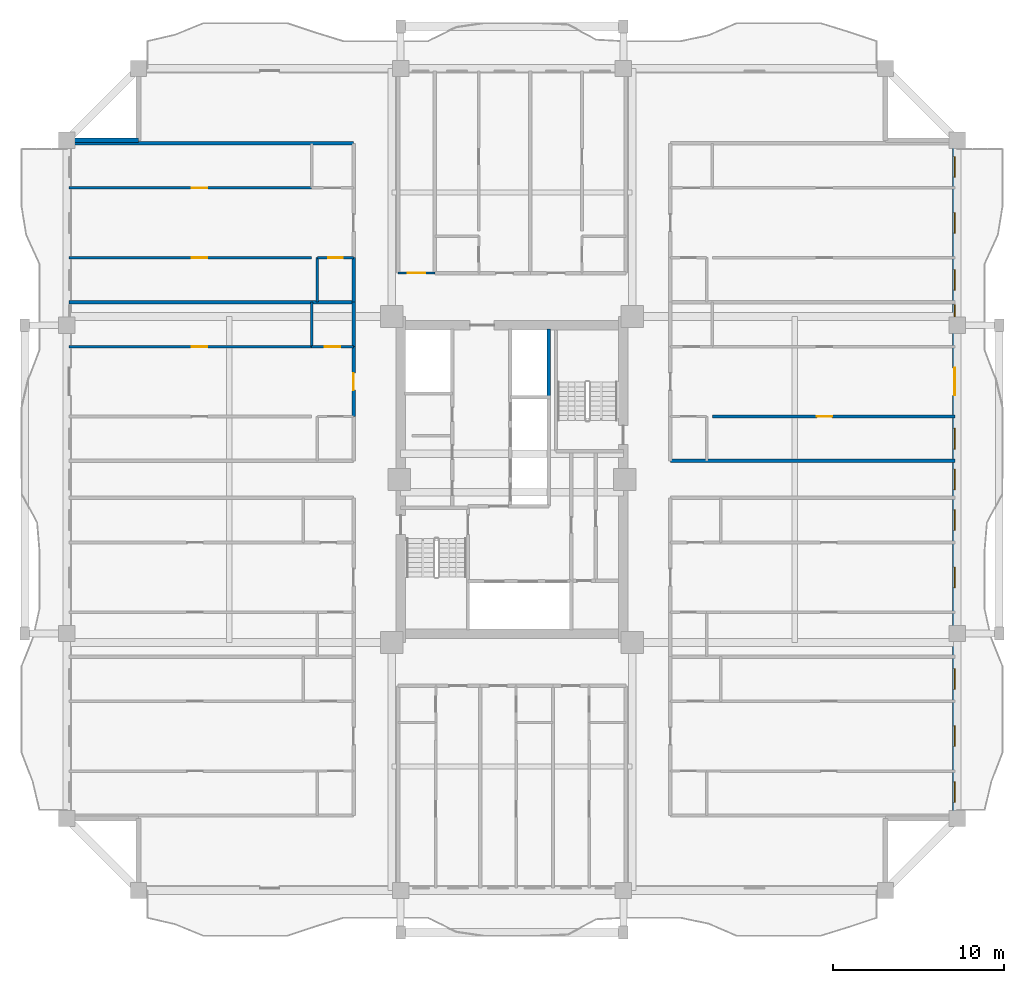
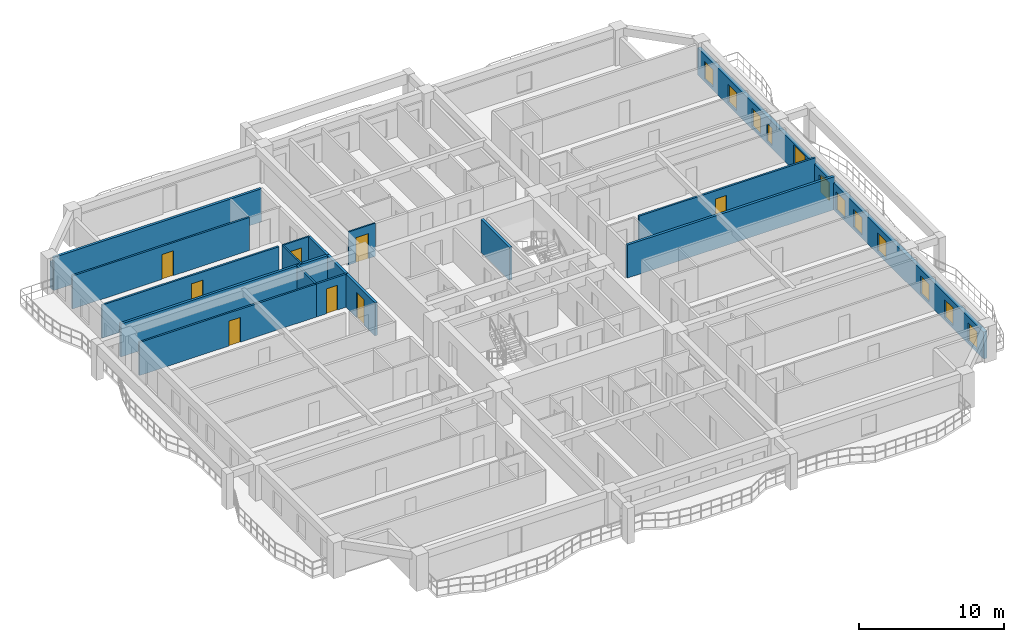
# One storey, part 6 of 13: 18 walls, 11 windows, 9 doors, 20 openings.
"""IFC4 building model written with IfcOpenShell, lengths in metres."""

from ifc_helpers import new_model, si_unit, direction, frame, frame_2d, origin, place, context, subcontext, project, spatial, rectangle, extrude, source, transform, mapped, material, layer, layer_set, type_object, element, fill, save


model = new_model("IFC4")

# Units and contexts
model_context = context("Model", 3, precision=1e-05, world=origin(), true_north=direction((0.0, 1.0)))
body_context = subcontext(model_context, "Body", "Model", "MODEL_VIEW")
ifc_project = project(units=[si_unit("LENGTHUNIT", "METRE"), si_unit("AREAUNIT", "SQUARE_METRE"), si_unit("VOLUMEUNIT", "CUBIC_METRE"), si_unit("PLANEANGLEUNIT", "RADIAN"), si_unit("MASSUNIT", "GRAM", prefix="KILO")], contexts=[model_context])

# Site, building, storey
site_placement = place(None, origin())
site = spatial("IfcSite", under=ifc_project, at=site_placement, CompositionType="ELEMENT")
building_placement = place(site_placement, origin())
building = spatial("IfcBuilding", under=site, at=building_placement, Name="Saelheon Loggia Tower", CompositionType="ELEMENT")
storey_placement = place(building_placement, frame((0.0, 0.0, 110.85009765625)))
storey = spatial("IfcBuildingStorey", under=building, at=storey_placement, Name="L35", CompositionType="ELEMENT", Elevation=110.85009765625)

# Wall, openings, windows, door
ifc_material_1 = material(Name="Architectural Precast Concrete C40/50", Category="concrete")
ifc_layer_1 = layer(ifc_material_1, 0.280029296875)
ifc_layer_set_1 = layer_set([ifc_layer_1], Name="Architectural Precast Concrete C40/50")
wall_type_1 = type_object("IfcWallType", Name="Wall_Ext_Loggia_280", PredefinedType="SOLIDWALL", material=ifc_layer_set_1)
wall_1_placement = place(storey_placement, frame((63.860107421875, 7.199951171875, 0.0), z_axis=(0.0, 0.0, 1.0), x_axis=(0.0, 1.0, 0.0)))
wall_1 = element("IfcWall", 1, at=wall_1_placement, inside=storey, type_object=wall_type_1, Name="L35 East Loggia Inner Wall", PredefinedType="SOLIDWALL", context=body_context, shape_type="SweptSolid", body=[
    extrude(rectangle(XDim=39.60009765625, YDim=0.280029296875, at=frame_2d((19.800048828125, 0.0))), origin(), (0.0, 0.0, 1.0), 2.27978515625),
])
opening_1_placement = place(wall_1_placement, frame((0.9453125, 0.0, 0.25)))
opening_1 = element("IfcOpeningElement", 2, at=opening_1_placement, cuts=wall_1, Name="Opening WN-03", PredefinedType="OPENING", context=body_context, shape_type="SweptSolid", body=[
    extrude(rectangle(XDim=1.199951171875, YDim=1.5, at=frame_2d((0.60009765625, 0.75))), frame((0.0, 0.152099609375, 0.0), z_axis=(0.0, -1.0, 0.0), x_axis=(1.0, 0.0, 0.0)), (0.0, 0.0, 1.0), 0.303955078125),
])
opening_2_placement = place(wall_1_placement, frame((4.212890625, 0.0, 0.25)))
opening_2 = element("IfcOpeningElement", 3, at=opening_2_placement, cuts=wall_1, Name="Opening WN-03", PredefinedType="OPENING", context=body_context, shape_type="SweptSolid", body=[
    extrude(rectangle(XDim=1.199951171875, YDim=1.5, at=frame_2d((0.60009765625, 0.75))), frame((0.0, 0.152099609375, 0.0), z_axis=(0.0, -1.0, 0.0), x_axis=(1.0, 0.0, 0.0)), (0.0, 0.0, 1.0), 0.303955078125),
])
opening_3_placement = place(wall_1_placement, frame((7.550048828125, 0.0, 0.25)))
opening_3 = element("IfcOpeningElement", 4, at=opening_3_placement, cuts=wall_1, Name="Opening WN-03", PredefinedType="OPENING", context=body_context, shape_type="SweptSolid", body=[
    extrude(rectangle(XDim=1.199951171875, YDim=1.5, at=frame_2d((0.60009765625, 0.75))), frame((0.0, 0.152099609375, 0.0), z_axis=(0.0, -1.0, 0.0), x_axis=(1.0, 0.0, 0.0)), (0.0, 0.0, 1.0), 0.303955078125),
])
opening_4_placement = place(wall_1_placement, frame((13.48291015625, 0.0, 0.25)))
opening_4 = element("IfcOpeningElement", 5, at=opening_4_placement, cuts=wall_1, Name="Opening WN-03", PredefinedType="OPENING", context=body_context, shape_type="SweptSolid", body=[
    extrude(rectangle(XDim=1.199951171875, YDim=1.5, at=frame_2d((0.60009765625, 0.75))), frame((0.0, 0.152099609375, 0.0), z_axis=(0.0, -1.0, 0.0), x_axis=(1.0, 0.0, 0.0)), (0.0, 0.0, 1.0), 0.303955078125),
])
opening_5_placement = place(wall_1_placement, frame((16.820068359375, 0.0, 0.25)))
opening_5 = element("IfcOpeningElement", 6, at=opening_5_placement, cuts=wall_1, Name="Opening WN-03", PredefinedType="OPENING", context=body_context, shape_type="SweptSolid", body=[
    extrude(rectangle(XDim=1.199951171875, YDim=1.5, at=frame_2d((0.60009765625, 0.75))), frame((0.0, 0.152099609375, 0.0), z_axis=(0.0, -1.0, 0.0), x_axis=(1.0, 0.0, 0.0)), (0.0, 0.0, 1.0), 0.303955078125),
])
opening_6_placement = place(wall_1_placement, frame((19.199951171875, 0.0, 0.25)))
opening_6 = element("IfcOpeningElement", 7, at=opening_6_placement, cuts=wall_1, Name="Opening WN-03", PredefinedType="OPENING", context=body_context, shape_type="SweptSolid", body=[
    extrude(rectangle(XDim=1.199951171875, YDim=1.5, at=frame_2d((0.60009765625, 0.75))), frame((0.0, 0.152099609375, 0.0), z_axis=(0.0, -1.0, 0.0), x_axis=(1.0, 0.0, 0.0)), (0.0, 0.0, 1.0), 0.303955078125),
])
opening_7_placement = place(wall_1_placement, frame((21.577880859375, 0.0, 0.25)))
opening_7 = element("IfcOpeningElement", 8, at=opening_7_placement, cuts=wall_1, Name="Opening WN-03", PredefinedType="OPENING", context=body_context, shape_type="SweptSolid", body=[
    extrude(rectangle(XDim=1.199951171875, YDim=1.5, at=frame_2d((0.60009765625, 0.75))), frame((0.0, 0.152099609375, 0.0), z_axis=(0.0, -1.0, 0.0), x_axis=(1.0, 0.0, 0.0)), (0.0, 0.0, 1.0), 0.303955078125),
])
opening_8_placement = place(wall_1_placement, frame((26.31298828125, 0.0, 0.0), z_axis=(0.0, 0.0, 1.0), x_axis=(-1.0, 0.0, 0.0)))
opening_8 = element("IfcOpeningElement", 9, at=opening_8_placement, cuts=wall_1, Name="Opening DLG-1", PredefinedType="OPENING", context=body_context, shape_type="SweptSolid", body=[
    extrude(rectangle(XDim=1.60009765625, YDim=2.14990234375, at=frame_2d((0.800048828125, 1.074951171875))), frame((0.0, 0.152099609375, 0.0), z_axis=(0.0, -1.0, 0.0), x_axis=(1.0, 0.0, 0.0)), (0.0, 0.0, 1.0), 0.303955078125),
])
opening_9_placement = place(wall_1_placement, frame((29.304931640625, 0.0, 0.25)))
opening_9 = element("IfcOpeningElement", 10, at=opening_9_placement, cuts=wall_1, Name="Opening WN-06", PredefinedType="OPENING", context=body_context, shape_type="SweptSolid", body=[
    extrude(rectangle(XDim=0.699951171875, YDim=1.5, at=frame_2d((0.35009765625, 0.75))), frame((0.0, 0.152099609375, 0.0), z_axis=(0.0, -1.0, 0.0), x_axis=(1.0, 0.0, 0.0)), (0.0, 0.0, 1.0), 0.303955078125),
])
opening_10_placement = place(wall_1_placement, frame((30.847900390625, 0.0, 0.25)))
opening_10 = element("IfcOpeningElement", 11, at=opening_10_placement, cuts=wall_1, Name="Opening WN-03", PredefinedType="OPENING", context=body_context, shape_type="SweptSolid", body=[
    extrude(rectangle(XDim=1.199951171875, YDim=1.5, at=frame_2d((0.60009765625, 0.75))), frame((0.0, 0.152099609375, 0.0), z_axis=(0.0, -1.0, 0.0), x_axis=(1.0, 0.0, 0.0)), (0.0, 0.0, 1.0), 0.303955078125),
])
opening_11_placement = place(wall_1_placement, frame((34.182861328125, 0.0, 0.25)))
opening_11 = element("IfcOpeningElement", 12, at=opening_11_placement, cuts=wall_1, Name="Opening WN-03", PredefinedType="OPENING", context=body_context, shape_type="SweptSolid", body=[
    extrude(rectangle(XDim=1.199951171875, YDim=1.5, at=frame_2d((0.60009765625, 0.75))), frame((0.0, 0.152099609375, 0.0), z_axis=(0.0, -1.0, 0.0), x_axis=(1.0, 0.0, 0.0)), (0.0, 0.0, 1.0), 0.303955078125),
])
opening_12_placement = place(wall_1_placement, frame((37.452392578125, 0.0, 0.25)))
opening_12 = element("IfcOpeningElement", 13, at=opening_12_placement, cuts=wall_1, Name="Opening WN-03", PredefinedType="OPENING", context=body_context, shape_type="SweptSolid", body=[
    extrude(rectangle(XDim=1.199951171875, YDim=1.5, at=frame_2d((0.60009765625, 0.75))), frame((0.0, 0.152099609375, 0.0), z_axis=(0.0, -1.0, 0.0), x_axis=(1.0, 0.0, 0.0)), (0.0, 0.0, 1.0), 0.303955078125),
])
ifc_material_2 = material(Name="Thermal-Break Aluminium and Triple Low-E Glass", Category="aluminium")
window_type_1 = type_object("IfcWindowType", Name="Win_Slot_700x1500", PartitioningType="SINGLE_PANEL", PredefinedType="WINDOW", material=ifc_material_2)
shared_shape_1 = source(origin(), body_context, "Body", "SweptSolid", [
    extrude(rectangle(XDim=0.699951171875, YDim=1.5, at=frame_2d((0.35009765625, 0.75))), frame((0.0, 0.030029296875, 0.0), z_axis=(0.0, -1.0, 0.0), x_axis=(1.0, 0.0, 0.0)), (0.0, 0.0, 1.0), 0.06005859375),
])
window_1_placement = place(opening_9_placement, origin())
window_1 = element("IfcWindow", 14, at=window_1_placement, inside=storey, type_object=window_type_1, Name="L35 E Dwelling Window 9", OverallHeight=1.5, OverallWidth=0.699951171875, PartitioningType="SINGLE_PANEL", PredefinedType="WINDOW", context=body_context, shape_type="MappedRepresentation", body=[
    mapped(shared_shape_1, transform((0.0, 0.0, 0.0), scale=1.0)),
])
fill(opening_9, window_1)
window_type_2 = type_object("IfcWindowType", Name="Win_Bedroom_1200x1500", PartitioningType="SINGLE_PANEL", PredefinedType="WINDOW", material=ifc_material_2)
shared_shape_2 = source(origin(), body_context, "Body", "SweptSolid", [
    extrude(rectangle(XDim=1.199951171875, YDim=1.5, at=frame_2d((0.60009765625, 0.75))), frame((0.0, 0.030029296875, 0.0), z_axis=(0.0, -1.0, 0.0), x_axis=(1.0, 0.0, 0.0)), (0.0, 0.0, 1.0), 0.06005859375),
])
window_2_placement = place(opening_1_placement, origin())
window_2 = element("IfcWindow", 15, at=window_2_placement, inside=storey, type_object=window_type_2, Name="L35 E Dwelling Window 1", OverallHeight=1.5, OverallWidth=1.199951171875, PartitioningType="SINGLE_PANEL", PredefinedType="WINDOW", context=body_context, shape_type="MappedRepresentation", body=[
    mapped(shared_shape_2, transform((0.0, 0.0, 0.0), scale=1.0)),
])
fill(opening_1, window_2)
window_3_placement = place(opening_2_placement, origin())
window_3 = element("IfcWindow", 16, at=window_3_placement, inside=storey, type_object=window_type_2, Name="L35 E Dwelling Window 2", OverallHeight=1.5, OverallWidth=1.199951171875, PartitioningType="SINGLE_PANEL", PredefinedType="WINDOW", context=body_context, shape_type="MappedRepresentation", body=[
    mapped(shared_shape_2, transform((0.0, 0.0, 0.0), scale=1.0)),
])
fill(opening_2, window_3)
window_4_placement = place(opening_3_placement, origin())
window_4 = element("IfcWindow", 17, at=window_4_placement, inside=storey, type_object=window_type_2, Name="L35 E Dwelling Window 3", OverallHeight=1.5, OverallWidth=1.199951171875, PartitioningType="SINGLE_PANEL", PredefinedType="WINDOW", context=body_context, shape_type="MappedRepresentation", body=[
    mapped(shared_shape_2, transform((0.0, 0.0, 0.0), scale=1.0)),
])
fill(opening_3, window_4)
window_5_placement = place(opening_4_placement, origin())
window_5 = element("IfcWindow", 18, at=window_5_placement, inside=storey, type_object=window_type_2, Name="L35 E Dwelling Window 4", OverallHeight=1.5, OverallWidth=1.199951171875, PartitioningType="SINGLE_PANEL", PredefinedType="WINDOW", context=body_context, shape_type="MappedRepresentation", body=[
    mapped(shared_shape_2, transform((0.0, 0.0, 0.0), scale=1.0)),
])
fill(opening_4, window_5)
window_6_placement = place(opening_5_placement, origin())
window_6 = element("IfcWindow", 19, at=window_6_placement, inside=storey, type_object=window_type_2, Name="L35 E Dwelling Window 5", OverallHeight=1.5, OverallWidth=1.199951171875, PartitioningType="SINGLE_PANEL", PredefinedType="WINDOW", context=body_context, shape_type="MappedRepresentation", body=[
    mapped(shared_shape_2, transform((0.0, 0.0, 0.0), scale=1.0)),
])
fill(opening_5, window_6)
window_7_placement = place(opening_6_placement, origin())
window_7 = element("IfcWindow", 20, at=window_7_placement, inside=storey, type_object=window_type_2, Name="L35 E Dwelling Window 6", OverallHeight=1.5, OverallWidth=1.199951171875, PartitioningType="SINGLE_PANEL", PredefinedType="WINDOW", context=body_context, shape_type="MappedRepresentation", body=[
    mapped(shared_shape_2, transform((0.0, 0.0, 0.0), scale=1.0)),
])
fill(opening_6, window_7)
window_8_placement = place(opening_7_placement, origin())
window_8 = element("IfcWindow", 21, at=window_8_placement, inside=storey, type_object=window_type_2, Name="L35 E Dwelling Window 7", OverallHeight=1.5, OverallWidth=1.199951171875, PartitioningType="SINGLE_PANEL", PredefinedType="WINDOW", context=body_context, shape_type="MappedRepresentation", body=[
    mapped(shared_shape_2, transform((0.0, 0.0, 0.0), scale=1.0)),
])
fill(opening_7, window_8)
window_9_placement = place(opening_10_placement, origin())
window_9 = element("IfcWindow", 22, at=window_9_placement, inside=storey, type_object=window_type_2, Name="L35 E Dwelling Window 10", OverallHeight=1.5, OverallWidth=1.199951171875, PartitioningType="SINGLE_PANEL", PredefinedType="WINDOW", context=body_context, shape_type="MappedRepresentation", body=[
    mapped(shared_shape_2, transform((0.0, 0.0, 0.0), scale=1.0)),
])
fill(opening_10, window_9)
window_10_placement = place(opening_11_placement, origin())
window_10 = element("IfcWindow", 23, at=window_10_placement, inside=storey, type_object=window_type_2, Name="L35 E Dwelling Window 11", OverallHeight=1.5, OverallWidth=1.199951171875, PartitioningType="SINGLE_PANEL", PredefinedType="WINDOW", context=body_context, shape_type="MappedRepresentation", body=[
    mapped(shared_shape_2, transform((0.0, 0.0, 0.0), scale=1.0)),
])
fill(opening_11, window_10)
window_11_placement = place(opening_12_placement, origin())
window_11 = element("IfcWindow", 24, at=window_11_placement, inside=storey, type_object=window_type_2, Name="L35 E Dwelling Window 12", OverallHeight=1.5, OverallWidth=1.199951171875, PartitioningType="SINGLE_PANEL", PredefinedType="WINDOW", context=body_context, shape_type="MappedRepresentation", body=[
    mapped(shared_shape_2, transform((0.0, 0.0, 0.0), scale=1.0)),
])
fill(opening_12, window_11)
ifc_material_3 = material(Name="Thermal-Break Aluminium Sliding Glazed Door", Category="aluminium")
door_type_1 = type_object("IfcDoorType", Name="Door_LoggiaSlide_1600", OperationType="SLIDING_TO_LEFT", PredefinedType="DOOR", material=ifc_material_3)
shared_shape_3 = source(origin(), body_context, "Body", "SweptSolid", [
    extrude(rectangle(XDim=1.60009765625, YDim=2.14990234375, at=frame_2d((0.800048828125, 1.074951171875))), frame((0.0, 0.02490234375, 0.0), z_axis=(0.0, -1.0, 0.0), x_axis=(1.0, 0.0, 0.0)), (0.0, 0.0, 1.0), 0.050048828125),
])
door_1_placement = place(opening_8_placement, origin())
door_1 = element("IfcDoor", 25, at=door_1_placement, inside=storey, type_object=door_type_1, Name="L35 E Loggia Access Door", OperationType="SLIDING_TO_LEFT", OverallHeight=2.14990234375, OverallWidth=1.60009765625, PredefinedType="DOOR", context=body_context, shape_type="MappedRepresentation", body=[
    mapped(shared_shape_3, transform((0.0, 0.0, 0.0), scale=1.0)),
])
fill(opening_8, door_1)

# Walls
wall_2_placement = place(storey_placement, frame((12.080078125, 46.800048828125, 0.0), z_axis=(0.0, 0.0, 1.0), x_axis=(1.0, 0.0, 0.0)))
element("IfcWall", 26, at=wall_2_placement, inside=storey, type_object=wall_type_1, Name="L35 Corner Notch Precast Wall NW2", PredefinedType="SOLIDWALL", context=body_context, shape_type="SweptSolid", body=[
    extrude(rectangle(XDim=4.119873046875, YDim=0.280029296875, at=frame_2d((2.06005859375, 0.0))), origin(), (0.0, 0.0, 1.0), 2.27978515625),
])
ifc_material_4 = material(Name="Lightweight Autoclaved Aerated Concrete Block and Acoustic Gypsum", Category="concrete")
ifc_layer_2 = layer(ifc_material_4, 0.14990234375)
ifc_layer_set_2 = layer_set([ifc_layer_2], Name="Lightweight Autoclaved Aerated Concrete Block and Acoustic Gypsum")
wall_type_2 = type_object("IfcWallType", Name="Wall_Part_150", PredefinedType="PARTITIONING", material=ifc_layer_set_2)
wall_3_placement = place(storey_placement, frame((26.300048828125, 34.75, 0.0), z_axis=(0.0, 0.0, 1.0), x_axis=(0.0, 1.0, 0.0)))
element("IfcWall", 27, at=wall_3_placement, inside=storey, type_object=wall_type_2, Name="L35 WN Partition V07", PredefinedType="PARTITIONING", context=body_context, shape_type="SweptSolid", body=[
    extrude(rectangle(XDim=2.60009765625, YDim=0.14990234375, at=frame_2d((1.300048828125, 0.0))), origin(), (0.0, 0.0, 1.0), 2.789794921875),
])

# Wall, opening, door
wall_4_placement = place(storey_placement, frame((28.75, 34.75, 0.0), z_axis=(0.0, 0.0, 1.0), x_axis=(-1.0, 0.0, 0.0)))
wall_4 = element("IfcWall", 28, at=wall_4_placement, inside=storey, type_object=wall_type_2, Name="L35 WN Partition U10", PredefinedType="PARTITIONING", context=body_context, shape_type="SweptSolid", body=[
    extrude(rectangle(XDim=2.449951171875, YDim=0.14990234375, at=frame_2d((1.22509765625, 0.0))), origin(), (0.0, 0.0, 1.0), 2.789794921875),
])
opening_13_placement = place(wall_4_placement, frame((0.77490234375, 0.0, 0.0)))
opening_13 = element("IfcOpeningElement", 29, at=opening_13_placement, cuts=wall_4, Name="Opening D-IN2", PredefinedType="OPENING", context=body_context, shape_type="SweptSolid", body=[
    extrude(rectangle(XDim=0.89990234375, YDim=2.10009765625, at=frame_2d((0.449951171875, 1.050048828125))), frame((0.0, 0.0869140625, 0.0), z_axis=(0.0, -1.0, 0.0), x_axis=(1.0, 0.0, 0.0)), (0.0, 0.0, 1.0), 0.173828125),
])
ifc_material_5 = material(Name="Engineered Oak Flush Door", Category="timber")
door_type_2 = type_object("IfcDoorType", Name="Door_Int_900", OperationType="NOTDEFINED", PredefinedType="DOOR", material=ifc_material_5)
shared_shape_4 = source(origin(), body_context, "Body", "SweptSolid", [
    extrude(rectangle(XDim=0.89990234375, YDim=2.10009765625, at=frame_2d((0.449951171875, 1.050048828125))), frame((0.0, 0.02490234375, 0.0), z_axis=(0.0, -1.0, 0.0), x_axis=(1.0, 0.0, 0.0)), (0.0, 0.0, 1.0), 0.050048828125),
])
door_2_placement = place(opening_13_placement, origin())
door_2 = element("IfcDoor", 30, at=door_2_placement, inside=storey, type_object=door_type_2, Name="Unit U08 Dressing Closet Door", OperationType="SINGLE_SWING_LEFT", OverallHeight=2.10009765625, OverallWidth=0.89990234375, PredefinedType="DOOR", context=body_context, shape_type="MappedRepresentation", body=[
    mapped(shared_shape_4, transform((0.0, 0.0, 0.0), scale=1.0)),
])
fill(opening_13, door_2)

wall_5_placement = place(storey_placement, frame((26.300048828125, 34.75, 0.0), z_axis=(0.0, 0.0, 1.0), x_axis=(-1.0, 0.0, 0.0)))
wall_5 = element("IfcWall", 31, at=wall_5_placement, inside=storey, type_object=wall_type_2, Name="L35 WN Partition U11", PredefinedType="PARTITIONING", context=body_context, shape_type="SweptSolid", body=[
    extrude(rectangle(XDim=14.150146484375, YDim=0.14990234375, at=frame_2d((7.0751953125, 0.0))), origin(), (0.0, 0.0, 1.0), 2.789794921875),
])
opening_14_placement = place(wall_5_placement, frame((6.093017578125, 0.0, 0.0)))
opening_14 = element("IfcOpeningElement", 32, at=opening_14_placement, cuts=wall_5, Name="Opening D-IN2", PredefinedType="OPENING", context=body_context, shape_type="SweptSolid", body=[
    extrude(rectangle(XDim=0.89990234375, YDim=2.10009765625, at=frame_2d((0.449951171875, 1.050048828125))), frame((0.0, 0.0869140625, 0.0), z_axis=(0.0, -1.0, 0.0), x_axis=(1.0, 0.0, 0.0)), (0.0, 0.0, 1.0), 0.173828125),
])
door_3_placement = place(opening_14_placement, origin())
door_3 = element("IfcDoor", 33, at=door_3_placement, inside=storey, type_object=door_type_2, Name="Unit U08 Bedroom 1 Door", OperationType="SINGLE_SWING_RIGHT", OverallHeight=2.10009765625, OverallWidth=0.89990234375, PredefinedType="DOOR", context=body_context, shape_type="MappedRepresentation", body=[
    mapped(shared_shape_4, transform((0.0, 0.0, 0.0), scale=1.0)),
])
fill(opening_14, door_3)

wall_6_placement = place(storey_placement, frame((26.300048828125, 39.945556640625, 0.0), z_axis=(0.0, 0.0, 1.0), x_axis=(-1.0, 0.0, 0.0)))
wall_6 = element("IfcWall", 34, at=wall_6_placement, inside=storey, type_object=wall_type_2, Name="L35 WN Partition U19", PredefinedType="PARTITIONING", context=body_context, shape_type="SweptSolid", body=[
    extrude(rectangle(XDim=14.150146484375, YDim=0.14990234375, at=frame_2d((7.0751953125, 0.0))), origin(), (0.0, 0.0, 1.0), 2.789794921875),
])
opening_15_placement = place(wall_6_placement, frame((6.093017578125, 0.0, 0.0)))
opening_15 = element("IfcOpeningElement", 35, at=opening_15_placement, cuts=wall_6, Name="Opening D-IN2", PredefinedType="OPENING", context=body_context, shape_type="SweptSolid", body=[
    extrude(rectangle(XDim=0.89990234375, YDim=2.10009765625, at=frame_2d((0.449951171875, 1.050048828125))), frame((0.0, 0.0869140625, 0.0), z_axis=(0.0, -1.0, 0.0), x_axis=(1.0, 0.0, 0.0)), (0.0, 0.0, 1.0), 0.173828125),
])
door_4_placement = place(opening_15_placement, origin())
door_4 = element("IfcDoor", 36, at=door_4_placement, inside=storey, type_object=door_type_2, Name="Unit U09 Kitchen Door", OperationType="SINGLE_SWING_LEFT", OverallHeight=2.10009765625, OverallWidth=0.89990234375, PredefinedType="DOOR", context=body_context, shape_type="MappedRepresentation", body=[
    mapped(shared_shape_4, transform((0.0, 0.0, 0.0), scale=1.0)),
])
fill(opening_15, door_4)

wall_7_placement = place(storey_placement, frame((26.300048828125, 44.02001953125, 0.0), z_axis=(0.0, 0.0, 1.0), x_axis=(-1.0, 0.0, 0.0)))
wall_7 = element("IfcWall", 37, at=wall_7_placement, inside=storey, type_object=wall_type_2, Name="L35 WN Partition U21", PredefinedType="PARTITIONING", context=body_context, shape_type="SweptSolid", body=[
    extrude(rectangle(XDim=14.150146484375, YDim=0.14990234375, at=frame_2d((7.0751953125, 0.0))), origin(), (0.0, 0.0, 1.0), 2.789794921875),
])
opening_16_placement = place(wall_7_placement, frame((6.093017578125, 0.0, 0.0)))
opening_16 = element("IfcOpeningElement", 38, at=opening_16_placement, cuts=wall_7, Name="Opening D-IN2", PredefinedType="OPENING", context=body_context, shape_type="SweptSolid", body=[
    extrude(rectangle(XDim=0.89990234375, YDim=2.10009765625, at=frame_2d((0.449951171875, 1.050048828125))), frame((0.0, 0.0869140625, 0.0), z_axis=(0.0, -1.0, 0.0), x_axis=(1.0, 0.0, 0.0)), (0.0, 0.0, 1.0), 0.173828125),
])
door_5_placement = place(opening_16_placement, origin())
door_5 = element("IfcDoor", 39, at=door_5_placement, inside=storey, type_object=door_type_2, Name="Unit U09 Bedroom 1 Door", OperationType="SINGLE_SWING_LEFT", OverallHeight=2.10009765625, OverallWidth=0.89990234375, PredefinedType="DOOR", context=body_context, shape_type="MappedRepresentation", body=[
    mapped(shared_shape_4, transform((0.0, 0.0, 0.0), scale=1.0)),
])
fill(opening_16, door_5)

wall_8_placement = place(storey_placement, frame((49.699951171875, 30.675537109375, 0.0), z_axis=(0.0, 0.0, 1.0), x_axis=(1.0, 0.0, 0.0)))
wall_8 = element("IfcWall", 40, at=wall_8_placement, inside=storey, type_object=wall_type_2, Name="L35 EN Partition U09", PredefinedType="PARTITIONING", context=body_context, shape_type="SweptSolid", body=[
    extrude(rectangle(XDim=14.150146484375, YDim=0.14990234375, at=frame_2d((7.0751953125, 0.0))), origin(), (0.0, 0.0, 1.0), 2.789794921875),
])
opening_17_placement = place(wall_8_placement, frame((6.093017578125, 0.0, 0.0)))
opening_17 = element("IfcOpeningElement", 41, at=opening_17_placement, cuts=wall_8, Name="Opening D-IN2", PredefinedType="OPENING", context=body_context, shape_type="SweptSolid", body=[
    extrude(rectangle(XDim=0.89990234375, YDim=2.10009765625, at=frame_2d((0.449951171875, 1.050048828125))), frame((0.0, 0.0869140625, 0.0), z_axis=(0.0, -1.0, 0.0), x_axis=(1.0, 0.0, 0.0)), (0.0, 0.0, 1.0), 0.173828125),
])
door_6_placement = place(opening_17_placement, origin())
door_6 = element("IfcDoor", 42, at=door_6_placement, inside=storey, type_object=door_type_2, Name="Unit U12 Kitchen Door", OperationType="SINGLE_SWING_RIGHT", OverallHeight=2.10009765625, OverallWidth=0.89990234375, PredefinedType="DOOR", context=body_context, shape_type="MappedRepresentation", body=[
    mapped(shared_shape_4, transform((0.0, 0.0, 0.0), scale=1.0)),
])
fill(opening_17, door_6)

# Wall
ifc_material_6 = material(Name="Double Acoustic Stud and Fireboard Partition", Category="gypsum")
ifc_layer_3 = layer(ifc_material_6, 0.199951171875)
ifc_layer_set_3 = layer_set([ifc_layer_3], Name="Double Acoustic Stud and Fireboard Partition")
wall_type_3 = type_object("IfcWallType", Name="Wall_Party_200", PredefinedType="PARTITIONING", material=ifc_layer_set_3)
wall_9_placement = place(storey_placement, frame((28.75, 46.6201171875, 0.0), z_axis=(0.0, 0.0, 1.0), x_axis=(-1.0, 0.0, 0.0)))
element("IfcWall", 43, at=wall_9_placement, inside=storey, type_object=wall_type_3, Name="L35 WN Partition U02", PredefinedType="PARTITIONING", context=body_context, shape_type="SweptSolid", body=[
    extrude(rectangle(XDim=16.60009765625, YDim=0.199951171875, at=frame_2d((8.300048828125, 0.0))), origin(), (0.0, 0.0, 1.0), 2.789794921875),
])

# Wall, opening, door
wall_10_placement = place(storey_placement, frame((28.75, 30.675537109375, 0.0), z_axis=(0.0, 0.0, 1.0), x_axis=(0.0, 1.0, 0.0)))
wall_10 = element("IfcWall", 44, at=wall_10_placement, inside=storey, type_object=wall_type_3, Name="L35 WN Partition V04", PredefinedType="PARTITIONING", context=body_context, shape_type="SweptSolid", body=[
    extrude(rectangle(XDim=4.074462890625, YDim=0.199951171875, at=frame_2d((2.037109375, 0.0))), origin(), (0.0, 0.0, 1.0), 2.789794921875),
])
opening_18_placement = place(wall_10_placement, frame((1.537109375, 0.0, 0.0)))
opening_18 = element("IfcOpeningElement", 45, at=opening_18_placement, cuts=wall_10, Name="Opening D-FD1", PredefinedType="OPENING", context=body_context, shape_type="SweptSolid", body=[
    extrude(rectangle(XDim=1.0, YDim=2.14990234375, at=frame_2d((0.5, 1.074951171875))), frame((0.0, 0.112060546875, 0.0), z_axis=(0.0, -1.0, 0.0), x_axis=(1.0, 0.0, 0.0)), (0.0, 0.0, 1.0), 0.223876953125),
])
ifc_material_7 = material(Name="Fire-Rated Engineered Timber Entrance Door", Category="wood")
door_type_3 = type_object("IfcDoorType", Name="Door_Flat_FD30S", OperationType="NOTDEFINED", PredefinedType="DOOR", material=ifc_material_7)
shared_shape_5 = source(origin(), body_context, "Body", "SweptSolid", [
    extrude(rectangle(XDim=1.0, YDim=2.14990234375, at=frame_2d((0.5, 1.074951171875))), frame((0.0, 0.02490234375, 0.0), z_axis=(0.0, -1.0, 0.0), x_axis=(1.0, 0.0, 0.0)), (0.0, 0.0, 1.0), 0.050048828125),
])
door_7_placement = place(opening_18_placement, origin())
door_7 = element("IfcDoor", 46, at=door_7_placement, inside=storey, type_object=door_type_3, Name="Unit U08 Entrance Door", OperationType="SINGLE_SWING_RIGHT", OverallHeight=2.14990234375, OverallWidth=1.0, PredefinedType="DOOR", context=body_context, shape_type="MappedRepresentation", body=[
    mapped(shared_shape_5, transform((0.0, 0.0, 0.0), scale=1.0)),
])
fill(opening_18, door_7)

# Walls
wall_11_placement = place(storey_placement, frame((28.75, 34.75, 0.0), z_axis=(0.0, 0.0, 1.0), x_axis=(0.0, 1.0, 0.0)))
element("IfcWall", 47, at=wall_11_placement, inside=storey, type_object=wall_type_3, Name="L35 WN Partition V05", PredefinedType="PARTITIONING", context=body_context, shape_type="SweptSolid", body=[
    extrude(rectangle(XDim=2.60009765625, YDim=0.199951171875, at=frame_2d((1.300048828125, 0.0))), origin(), (0.0, 0.0, 1.0), 2.789794921875),
])
wall_12_placement = place(storey_placement, frame((28.75, 37.35009765625, 0.0), z_axis=(0.0, 0.0, 1.0), x_axis=(-1.0, 0.0, 0.0)))
element("IfcWall", 48, at=wall_12_placement, inside=storey, type_object=wall_type_3, Name="L35 WN Partition U12", PredefinedType="PARTITIONING", context=body_context, shape_type="SweptSolid", body=[
    extrude(rectangle(XDim=16.60009765625, YDim=0.199951171875, at=frame_2d((8.300048828125, 0.0))), origin(), (0.0, 0.0, 1.0), 2.789794921875),
])
wall_13_placement = place(storey_placement, frame((28.75, 37.35009765625, 0.0), z_axis=(0.0, 0.0, 1.0), x_axis=(0.0, 1.0, 0.0)))
element("IfcWall", 49, at=wall_13_placement, inside=storey, type_object=wall_type_3, Name="L35 WN Partition V13", PredefinedType="PARTITIONING", context=body_context, shape_type="SweptSolid", body=[
    extrude(rectangle(XDim=2.595458984375, YDim=0.199951171875, at=frame_2d((1.2978515625, 0.0))), origin(), (0.0, 0.0, 1.0), 2.789794921875),
])
wall_14_placement = place(storey_placement, frame((47.25, 28.080078125, 0.0), z_axis=(0.0, 0.0, 1.0), x_axis=(1.0, 0.0, 0.0)))
element("IfcWall", 50, at=wall_14_placement, inside=storey, type_object=wall_type_3, Name="L35 EN Partition U01", PredefinedType="PARTITIONING", context=body_context, shape_type="SweptSolid", body=[
    extrude(rectangle(XDim=16.60009765625, YDim=0.199951171875, at=frame_2d((8.300048828125, 0.0))), origin(), (0.0, 0.0, 1.0), 2.789794921875),
])
ifc_material_8 = material(Name="Concrete C40/50", Category="concrete")
ifc_layer_4 = layer(ifc_material_8, 0.199951171875)
ifc_layer_set_4 = layer_set([ifc_layer_4], Name="Concrete C40/50")
wall_type_4 = type_object("IfcWallType", Name="Wall_Shaft_200", PredefinedType="PARTITIONING", material=ifc_layer_set_4)
wall_15_placement = place(storey_placement, frame((40.14990234375, 31.800048828125, 0.0), z_axis=(0.0, 0.0, 1.0), x_axis=(0.0, 1.0, 0.0)))
element("IfcWall", 51, at=wall_15_placement, inside=storey, type_object=wall_type_4, Name="L35 East High-Rise Hoistway East Wall", PredefinedType="PARTITIONING", context=body_context, shape_type="SweptSolid", body=[
    extrude(rectangle(XDim=3.97998046875, YDim=0.199951171875, at=frame_2d((1.989990234375, 0.0))), origin(), (0.0, 0.0, 1.0), 2.789794921875),
])

# Wall, opening, door
ifc_material_9 = material(Name="Moisture-Resistant Cement Board Partition", Category="gypsum")
ifc_layer_5 = layer(ifc_material_9, 0.1201171875)
ifc_layer_set_5 = layer_set([ifc_layer_5], Name="Moisture-Resistant Cement Board Partition")
wall_type_5 = type_object("IfcWallType", Name="Wall_WetPart_120", PredefinedType="PARTITIONING", material=ifc_layer_set_5)
wall_16_placement = place(storey_placement, frame((31.35009765625, 39.050048828125, 0.0), z_axis=(0.0, 0.0, 1.0), x_axis=(1.0, 0.0, 0.0)))
wall_16 = element("IfcWall", 52, at=wall_16_placement, inside=storey, type_object=wall_type_5, Name="L35 N Partition V04", PredefinedType="PARTITIONING", context=body_context, shape_type="SweptSolid", body=[
    extrude(rectangle(XDim=2.14990234375, YDim=0.1201171875, at=frame_2d((1.074951171875, 0.0))), origin(), (0.0, 0.0, 1.0), 2.789794921875),
])
opening_19_placement = place(wall_16_placement, frame((0.574951171875, 0.0, 0.0)))
opening_19 = element("IfcOpeningElement", 53, at=opening_19_placement, cuts=wall_16, Name="Opening D-AC1", PredefinedType="OPENING", context=body_context, shape_type="SweptSolid", body=[
    extrude(rectangle(XDim=1.0, YDim=2.10009765625, at=frame_2d((0.5, 1.050048828125))), frame((0.0, 0.072021484375, 0.0), z_axis=(0.0, -1.0, 0.0), x_axis=(1.0, 0.0, 0.0)), (0.0, 0.0, 1.0), 0.14404296875),
])
ifc_material_10 = material(Name="Accessible Laminate Flush Door", Category="timber")
door_type_4 = type_object("IfcDoorType", Name="Door_Acc_1000", OperationType="NOTDEFINED", PredefinedType="DOOR", material=ifc_material_10)
shared_shape_6 = source(origin(), body_context, "Body", "SweptSolid", [
    extrude(rectangle(XDim=1.0, YDim=2.10009765625, at=frame_2d((0.5, 1.050048828125))), frame((0.0, 0.02490234375, 0.0), z_axis=(0.0, -1.0, 0.0), x_axis=(1.0, 0.0, 0.0)), (0.0, 0.0, 1.0), 0.050048828125),
])
door_8_placement = place(opening_19_placement, origin())
door_8 = element("IfcDoor", 54, at=door_8_placement, inside=storey, type_object=door_type_4, Name="L35 Floor Accessible WC Door", OperationType="SINGLE_SWING_LEFT", OverallHeight=2.10009765625, OverallWidth=1.0, PredefinedType="DOOR", context=body_context, shape_type="MappedRepresentation", body=[
    mapped(shared_shape_6, transform((0.0, 0.0, 0.0), scale=1.0)),
])
fill(opening_19, door_8)

# Wall
wall_17_placement = place(storey_placement, frame((26.6298828125, 37.35009765625, 0.0), z_axis=(0.0, 0.0, 1.0), x_axis=(0.0, 1.0, 0.0)))
element("IfcWall", 55, at=wall_17_placement, inside=storey, type_object=wall_type_5, Name="L35 WN Partition V16", PredefinedType="PARTITIONING", context=body_context, shape_type="SweptSolid", body=[
    extrude(rectangle(XDim=2.595458984375, YDim=0.1201171875, at=frame_2d((1.2978515625, 0.0))), origin(), (0.0, 0.0, 1.0), 2.789794921875),
])

# Wall, opening, door
wall_18_placement = place(storey_placement, frame((28.75, 39.945556640625, 0.0), z_axis=(0.0, 0.0, 1.0), x_axis=(-1.0, 0.0, 0.0)))
wall_18 = element("IfcWall", 56, at=wall_18_placement, inside=storey, type_object=wall_type_5, Name="L35 WN Partition U18", PredefinedType="PARTITIONING", context=body_context, shape_type="SweptSolid", body=[
    extrude(rectangle(XDim=2.1201171875, YDim=0.1201171875, at=frame_2d((1.06005859375, 0.0))), origin(), (0.0, 0.0, 1.0), 2.789794921875),
])
opening_20_placement = place(wall_18_placement, frame((0.635009765625, 0.0, 0.0)))
opening_20 = element("IfcOpeningElement", 57, at=opening_20_placement, cuts=wall_18, Name="Opening D-BT1", PredefinedType="OPENING", context=body_context, shape_type="SweptSolid", body=[
    extrude(rectangle(XDim=0.85009765625, YDim=2.050048828125, at=frame_2d((0.425048828125, 1.02490234375))), frame((0.0, 0.072021484375, 0.0), z_axis=(0.0, -1.0, 0.0), x_axis=(1.0, 0.0, 0.0)), (0.0, 0.0, 1.0), 0.14404296875),
])
ifc_material_11 = material(Name="Moisture-Resistant Laminate Timber Door", Category="wood")
door_type_5 = type_object("IfcDoorType", Name="Door_Bath_850", OperationType="NOTDEFINED", PredefinedType="DOOR", material=ifc_material_11)
shared_shape_7 = source(origin(), body_context, "Body", "SweptSolid", [
    extrude(rectangle(XDim=0.85009765625, YDim=2.050048828125, at=frame_2d((0.425048828125, 1.02490234375))), frame((0.0, 0.02490234375, 0.0), z_axis=(0.0, -1.0, 0.0), x_axis=(1.0, 0.0, 0.0)), (0.0, 0.0, 1.0), 0.050048828125),
])
door_9_placement = place(opening_20_placement, origin())
door_9 = element("IfcDoor", 58, at=door_9_placement, inside=storey, type_object=door_type_5, Name="Unit U09 Bathroom Door", OperationType="SINGLE_SWING_RIGHT", OverallHeight=2.050048828125, OverallWidth=0.85009765625, PredefinedType="DOOR", context=body_context, shape_type="MappedRepresentation", body=[
    mapped(shared_shape_7, transform((0.0, 0.0, 0.0), scale=1.0)),
])
fill(opening_20, door_9)

save(model, "model.ifc")
